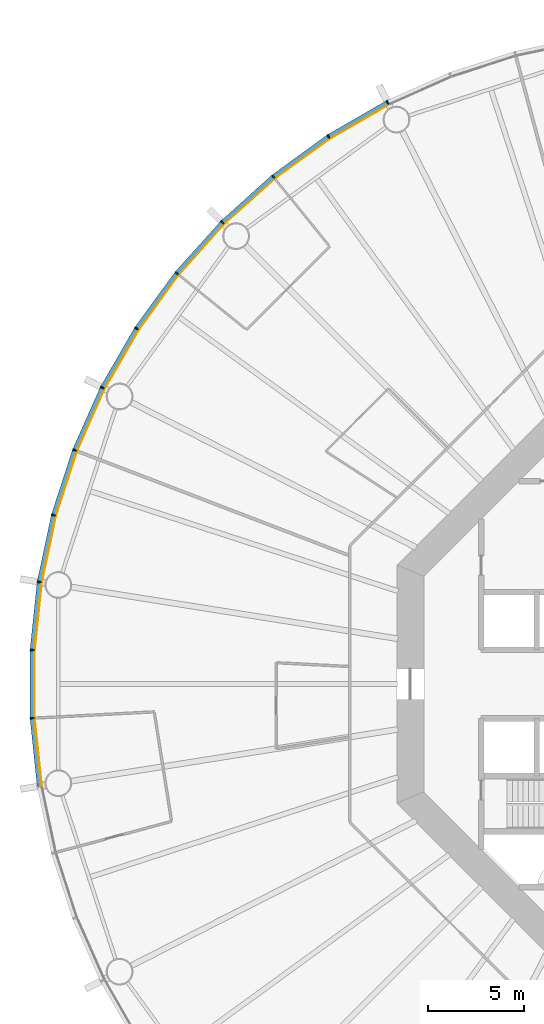
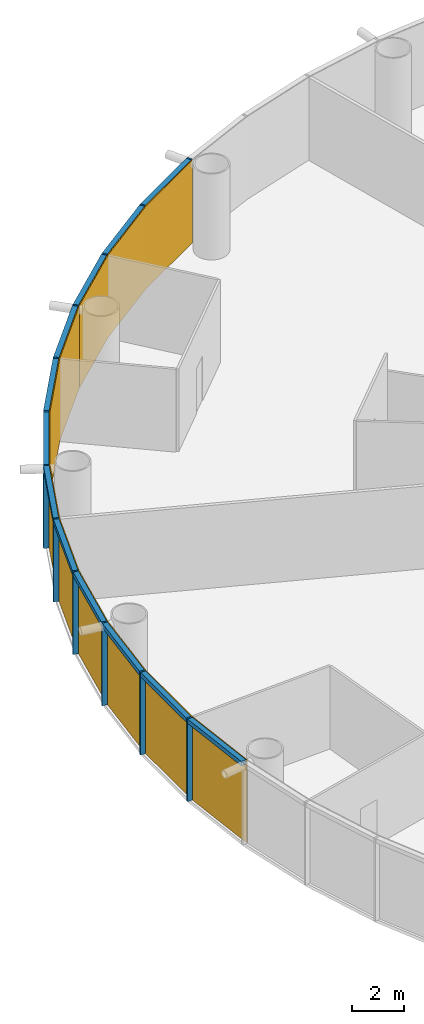
# One storey, part 8 of 12: 24 members, 4 curtain walls.
"""IFC4 building model written with IfcOpenShell, lengths in metres."""

from ifc_helpers import new_model, si_unit, direction, frame, origin, origin_2d, place, context, subcontext, project, spatial, polyline, rectangle, outline, extrude, material, layer, layer_set, material_profile, profile_set, type_object, element, aggregate, save


model = new_model("IFC4")

# Units and contexts
model_context = context("Model", 3, precision=1e-05, world=origin(), true_north=direction((0.0, 1.0)))
body_context = subcontext(model_context, "Body", "Model", "MODEL_VIEW")
ifc_project = project(units=[si_unit("LENGTHUNIT", "METRE"), si_unit("AREAUNIT", "SQUARE_METRE"), si_unit("VOLUMEUNIT", "CUBIC_METRE"), si_unit("PLANEANGLEUNIT", "RADIAN"), si_unit("MASSUNIT", "GRAM", prefix="KILO")], contexts=[model_context])

# Member
ifc_material_1 = material(Name="Anodised aluminium", Category="aluminium")
ifc_material_profile_1 = material_profile(ifc_material_1, rectangle(XDim=0.074951171875, YDim=0.219970703125, at=origin_2d()), Name="Mullion 75 x 220 mm anodised aluminium")
ifc_profile_set_1 = profile_set([ifc_material_profile_1], Name="Anodised aluminium")
member_type_1 = type_object("IfcMemberType", Name="Mullion 75 x 220 mm anodised aluminium", PredefinedType="MULLION", material=ifc_profile_set_1)
site_placement = place(None, origin())
building_placement = place(site_placement, origin())
storey_placement = place(building_placement, frame((0.0, 0.0, 70.0)))
member_1_placement = place(storey_placement, frame((74.514404296875, 110.392333984375, 0.0), z_axis=(0.0, 0.0, 1.0), x_axis=(-0.891006524188, -0.45399049974, 0.0)))
member_1 = element("IfcMember", 1, at=member_1_placement, type_object=member_type_1, Name="MULLION L15-18", PredefinedType="MULLION", context=body_context, shape_type="SweptSolid", body=[
    extrude(rectangle(XDim=0.074951171875, YDim=0.219970703125, at=origin_2d()), origin(), (0.0, 0.0, 1.0), 3.85009765625),
])

member_2_placement = place(storey_placement, frame((71.42236328125, 108.60693359375, 0.0), z_axis=(0.0, 0.0, 1.0), x_axis=(-0.838670567945, -0.544639035015, 0.0)))
member_2 = element("IfcMember", 2, at=member_2_placement, type_object=member_type_1, Name="MULLION L15-19", PredefinedType="MULLION", context=body_context, shape_type="SweptSolid", body=[
    extrude(rectangle(XDim=0.074951171875, YDim=0.219970703125, at=origin_2d()), origin(), (0.0, 0.0, 1.0), 3.85009765625),
])

member_3_placement = place(storey_placement, frame((68.533935546875, 106.508544921875, 0.0), z_axis=(0.0, 0.0, 1.0), x_axis=(-0.777145961457, -0.62932039105, 0.0)))
member_3 = element("IfcMember", 3, at=member_3_placement, type_object=member_type_1, Name="MULLION L15-20", PredefinedType="MULLION", context=body_context, shape_type="SweptSolid", body=[
    extrude(rectangle(XDim=0.074951171875, YDim=0.219970703125, at=origin_2d()), origin(), (0.0, 0.0, 1.0), 3.85009765625),
])

member_4_placement = place(storey_placement, frame((65.880615234375, 104.119384765625, 0.0), z_axis=(0.0, 0.0, 1.0), x_axis=(-0.707106781187, -0.707106781187, 0.0)))
member_4 = element("IfcMember", 4, at=member_4_placement, type_object=member_type_1, Name="MULLION L15-21", PredefinedType="MULLION", context=body_context, shape_type="SweptSolid", body=[
    extrude(rectangle(XDim=0.074951171875, YDim=0.219970703125, at=origin_2d()), origin(), (0.0, 0.0, 1.0), 3.85009765625),
])

member_5_placement = place(storey_placement, frame((63.491455078125, 101.466064453125, 0.0), z_axis=(0.0, 0.0, 1.0), x_axis=(-0.62932039105, -0.777145961457, 0.0)))
member_5 = element("IfcMember", 5, at=member_5_placement, type_object=member_type_1, Name="MULLION L15-22", PredefinedType="MULLION", context=body_context, shape_type="SweptSolid", body=[
    extrude(rectangle(XDim=0.074951171875, YDim=0.219970703125, at=origin_2d()), origin(), (0.0, 0.0, 1.0), 3.85009765625),
])

member_6_placement = place(storey_placement, frame((61.39306640625, 98.57763671875, 0.0), z_axis=(0.0, 0.0, 1.0), x_axis=(-0.544639035015, -0.838670567945, 0.0)))
member_6 = element("IfcMember", 6, at=member_6_placement, type_object=member_type_1, Name="MULLION L15-23", PredefinedType="MULLION", context=body_context, shape_type="SweptSolid", body=[
    extrude(rectangle(XDim=0.074951171875, YDim=0.219970703125, at=origin_2d()), origin(), (0.0, 0.0, 1.0), 3.85009765625),
])

member_7_placement = place(storey_placement, frame((59.607666015625, 95.485595703125, 0.0), z_axis=(0.0, 0.0, 1.0), x_axis=(-0.45399049974, -0.891006524188, 0.0)))
member_7 = element("IfcMember", 7, at=member_7_placement, type_object=member_type_1, Name="MULLION L15-24", PredefinedType="MULLION", context=body_context, shape_type="SweptSolid", body=[
    extrude(rectangle(XDim=0.074951171875, YDim=0.219970703125, at=origin_2d()), origin(), (0.0, 0.0, 1.0), 3.85009765625),
])

member_8_placement = place(storey_placement, frame((58.155517578125, 92.223876953125, 0.0), z_axis=(0.0, 0.0, 1.0), x_axis=(-0.358367949545, -0.933580426497, 0.0)))
member_8 = element("IfcMember", 8, at=member_8_placement, type_object=member_type_1, Name="MULLION L15-25", PredefinedType="MULLION", context=body_context, shape_type="SweptSolid", body=[
    extrude(rectangle(XDim=0.074951171875, YDim=0.219970703125, at=origin_2d()), origin(), (0.0, 0.0, 1.0), 3.85009765625),
])

member_9_placement = place(storey_placement, frame((57.05224609375, 88.828369140625, 0.0), z_axis=(0.0, 0.0, 1.0), x_axis=(-0.258819045103, -0.965925826289, 0.0)))
member_9 = element("IfcMember", 9, at=member_9_placement, type_object=member_type_1, Name="MULLION L15-26", PredefinedType="MULLION", context=body_context, shape_type="SweptSolid", body=[
    extrude(rectangle(XDim=0.074951171875, YDim=0.219970703125, at=origin_2d()), origin(), (0.0, 0.0, 1.0), 3.85009765625),
])

member_10_placement = place(storey_placement, frame((56.31005859375, 85.3359375, 0.0), z_axis=(0.0, 0.0, 1.0), x_axis=(-0.15643446504, -0.987688340595, 0.0)))
member_10 = element("IfcMember", 10, at=member_10_placement, type_object=member_type_1, Name="MULLION L15-27", PredefinedType="MULLION", context=body_context, shape_type="SweptSolid", body=[
    extrude(rectangle(XDim=0.074951171875, YDim=0.219970703125, at=origin_2d()), origin(), (0.0, 0.0, 1.0), 3.85009765625),
])

member_11_placement = place(storey_placement, frame((55.936767578125, 81.78515625, 0.0), z_axis=(0.0, 0.0, 1.0), x_axis=(-0.052335956243, -0.998629534755, 0.0)))
member_11 = element("IfcMember", 11, at=member_11_placement, type_object=member_type_1, Name="MULLION L15-28", PredefinedType="MULLION", context=body_context, shape_type="SweptSolid", body=[
    extrude(rectangle(XDim=0.074951171875, YDim=0.219970703125, at=origin_2d()), origin(), (0.0, 0.0, 1.0), 3.85009765625),
])

member_12_placement = place(storey_placement, frame((55.936767578125, 78.21484375, 0.0), z_axis=(0.0, 0.0, 1.0), x_axis=(0.052335956243, -0.998629534755, 0.0)))
member_12 = element("IfcMember", 12, at=member_12_placement, type_object=member_type_1, Name="MULLION L15-29", PredefinedType="MULLION", context=body_context, shape_type="SweptSolid", body=[
    extrude(rectangle(XDim=0.074951171875, YDim=0.219970703125, at=origin_2d()), origin(), (0.0, 0.0, 1.0), 3.85009765625),
])

ifc_material_2 = material(Name="Anodised aluminium", Category="aluminium")
ifc_material_profile_2 = material_profile(ifc_material_2, rectangle(XDim=0.219970703125, YDim=0.199951171875, at=origin_2d()), Name="Transom 200 x 220 mm anodised aluminium")
ifc_profile_set_2 = profile_set([ifc_material_profile_2], Name="Anodised aluminium")
member_type_2 = type_object("IfcMemberType", Name="Transom 200 x 220 mm anodised aluminium", PredefinedType="USERDEFINED", material=ifc_profile_set_2)
member_13_placement = place(storey_placement, frame((74.476806640625, 110.370849609375, 3.75), z_axis=(-0.866022206254, -0.500005538244, 0.0), x_axis=(0.500005538244, -0.866022206254, 0.0)))
member_13 = element("IfcMember", 13, at=member_13_placement, type_object=member_type_2, Name="TRANSOM L15-18", ObjectType="TRANSOM", PredefinedType="USERDEFINED", context=body_context, shape_type="SweptSolid", body=[
    extrude(rectangle(XDim=0.219970703125, YDim=0.199951171875, at=origin_2d()), origin(), (0.0, 0.0, 1.0), 3.48388671875),
])

member_14_placement = place(storey_placement, frame((71.38720703125, 108.581787109375, 3.75), z_axis=(-0.80899056535, -0.587821627006, 0.0), x_axis=(0.587821627006, -0.80899056535, 0.0)))
member_14 = element("IfcMember", 14, at=member_14_placement, type_object=member_type_2, Name="TRANSOM L15-19", ObjectType="TRANSOM", PredefinedType="USERDEFINED", context=body_context, shape_type="SweptSolid", body=[
    extrude(rectangle(XDim=0.219970703125, YDim=0.199951171875, at=origin_2d()), origin(), (0.0, 0.0, 1.0), 3.48388671875),
])

member_15_placement = place(storey_placement, frame((68.501708984375, 106.479736328125, 3.75), z_axis=(-0.743137329876, -0.669138930974, 0.0), x_axis=(0.669138930974, -0.743137329876, 0.0)))
member_15 = element("IfcMember", 15, at=member_15_placement, type_object=member_type_2, Name="TRANSOM L15-20", ObjectType="TRANSOM", PredefinedType="USERDEFINED", context=body_context, shape_type="SweptSolid", body=[
    extrude(rectangle(XDim=0.219970703125, YDim=0.199951171875, at=origin_2d()), origin(), (0.0, 0.0, 1.0), 3.484130859375),
])

member_16_placement = place(storey_placement, frame((65.8515625, 104.08740234375, 3.75), z_axis=(-0.669138930974, -0.743137329876, 0.0), x_axis=(0.743137329876, -0.669138930974, 0.0)))
member_16 = element("IfcMember", 16, at=member_16_placement, type_object=member_type_2, Name="TRANSOM L15-21", ObjectType="TRANSOM", PredefinedType="USERDEFINED", context=body_context, shape_type="SweptSolid", body=[
    extrude(rectangle(XDim=0.219970703125, YDim=0.199951171875, at=origin_2d()), origin(), (0.0, 0.0, 1.0), 3.484130859375),
])

member_17_placement = place(storey_placement, frame((63.466064453125, 101.43115234375, 3.75), z_axis=(-0.587821627006, -0.80899056535, 0.0), x_axis=(0.80899056535, -0.587821627006, 0.0)))
member_17 = element("IfcMember", 17, at=member_17_placement, type_object=member_type_2, Name="TRANSOM L15-22", ObjectType="TRANSOM", PredefinedType="USERDEFINED", context=body_context, shape_type="SweptSolid", body=[
    extrude(rectangle(XDim=0.219970703125, YDim=0.199951171875, at=origin_2d()), origin(), (0.0, 0.0, 1.0), 3.48388671875),
])

member_18_placement = place(storey_placement, frame((61.37109375, 98.540283203125, 3.75), z_axis=(-0.500005538244, -0.866022206254, 0.0), x_axis=(0.866022206254, -0.500005538244, 0.0)))
member_18 = element("IfcMember", 18, at=member_18_placement, type_object=member_type_2, Name="TRANSOM L15-23", ObjectType="TRANSOM", PredefinedType="USERDEFINED", context=body_context, shape_type="SweptSolid", body=[
    extrude(rectangle(XDim=0.219970703125, YDim=0.199951171875, at=origin_2d()), origin(), (0.0, 0.0, 1.0), 3.48388671875),
])

member_19_placement = place(storey_placement, frame((59.590087890625, 95.446044921875, 3.75), z_axis=(-0.406736576304, -0.913545487371, 0.0), x_axis=(0.913545487371, -0.406736576304, 0.0)))
member_19 = element("IfcMember", 19, at=member_19_placement, type_object=member_type_2, Name="TRANSOM L15-24", ObjectType="TRANSOM", PredefinedType="USERDEFINED", context=body_context, shape_type="SweptSolid", body=[
    extrude(rectangle(XDim=0.219970703125, YDim=0.199951171875, at=origin_2d()), origin(), (0.0, 0.0, 1.0), 3.48388671875),
])

member_20_placement = place(storey_placement, frame((58.14208984375, 92.182861328125, 3.75), z_axis=(-0.309029029702, -0.951052605696, 0.0), x_axis=(0.951052605696, -0.309029029702, 0.0)))
member_20 = element("IfcMember", 20, at=member_20_placement, type_object=member_type_2, Name="TRANSOM L15-25", ObjectType="TRANSOM", PredefinedType="USERDEFINED", context=body_context, shape_type="SweptSolid", body=[
    extrude(rectangle(XDim=0.219970703125, YDim=0.199951171875, at=origin_2d()), origin(), (0.0, 0.0, 1.0), 3.484130859375),
])

member_21_placement = place(storey_placement, frame((57.043212890625, 88.7861328125, 3.75), z_axis=(-0.207920776701, -0.978145669426, 0.0), x_axis=(0.978145669426, -0.207920776701, 0.0)))
member_21 = element("IfcMember", 21, at=member_21_placement, type_object=member_type_2, Name="TRANSOM L15-26", ObjectType="TRANSOM", PredefinedType="USERDEFINED", context=body_context, shape_type="SweptSolid", body=[
    extrude(rectangle(XDim=0.219970703125, YDim=0.199951171875, at=origin_2d()), origin(), (0.0, 0.0, 1.0), 3.48388671875),
])

member_22_placement = place(storey_placement, frame((56.30517578125, 85.29296875, 3.75), z_axis=(-0.104484152234, -0.994526551648, 0.0), x_axis=(0.994526551648, -0.104484152234, 0.0)))
member_22 = element("IfcMember", 22, at=member_22_placement, type_object=member_type_2, Name="TRANSOM L15-27", ObjectType="TRANSOM", PredefinedType="USERDEFINED", context=body_context, shape_type="SweptSolid", body=[
    extrude(rectangle(XDim=0.219970703125, YDim=0.199951171875, at=origin_2d()), origin(), (0.0, 0.0, 1.0), 3.48388671875),
])

member_23_placement = place(storey_placement, frame((55.9365234375, 81.741943359375, 3.75), z_axis=(0.0, -1.0, 0.0), x_axis=(1.0, 0.0, 0.0)))
member_23 = element("IfcMember", 23, at=member_23_placement, type_object=member_type_2, Name="TRANSOM L15-28", ObjectType="TRANSOM", PredefinedType="USERDEFINED", context=body_context, shape_type="SweptSolid", body=[
    extrude(rectangle(XDim=0.219970703125, YDim=0.199951171875, at=origin_2d()), origin(), (0.0, 0.0, 1.0), 3.48388671875),
])

member_24_placement = place(storey_placement, frame((55.941162109375, 78.171875, 3.75), z_axis=(0.104484152234, -0.994526551648, 0.0), x_axis=(0.994526551648, 0.104484152234, 0.0)))
member_24 = element("IfcMember", 24, at=member_24_placement, type_object=member_type_2, Name="TRANSOM L15-29", ObjectType="TRANSOM", PredefinedType="USERDEFINED", context=body_context, shape_type="SweptSolid", body=[
    extrude(rectangle(XDim=0.219970703125, YDim=0.199951171875, at=origin_2d()), origin(), (0.0, 0.0, 1.0), 3.48388671875),
])

# Site, building, storey
site = spatial("IfcSite", under=ifc_project, at=site_placement, CompositionType="ELEMENT")
building = spatial("IfcBuilding", under=site, at=building_placement, Name="Entoto Ring Tower", CompositionType="ELEMENT")
storey = spatial("IfcBuildingStorey", under=building, at=storey_placement, Name="L15", CompositionType="ELEMENT", Elevation=70.0)

# Curtain wall
ifc_material_3 = material(Name="Clear low-iron glass", Category="glass")
ifc_layer = layer(ifc_material_3, 0.0400390625)
ifc_layer_set = layer_set([ifc_layer], Name="Clear low-iron glass")
curtain_wall_type = type_object("IfcCurtainWallType", Name="Curtain wall system CW1 glazing 40 mm", PredefinedType="NOTDEFINED", material=ifc_layer_set)
curtain_wall_1_placement = place(storey_placement, origin())
curtain_wall_1 = element("IfcCurtainWall", 25, at=curtain_wall_1_placement, inside=storey, type_object=curtain_wall_type, Name="CW1 L15-07", PredefinedType="NOTDEFINED", context=body_context, shape_type="SweptSolid", body=[
    extrude(outline(polyline([(74.564208984375, 110.294189453125), (71.482177734375, 108.514892578125), (68.60302734375, 106.4228515625), (65.958251953125, 104.041748046875), (65.986572265625, 104.013427734375), (68.62841796875, 106.391845703125), (71.504150390625, 108.481201171875), (74.58251953125, 110.258544921875), (74.564208984375, 110.294189453125)])), origin(), (0.0, 0.0, 1.0), 3.85009765625),
])

aggregate(curtain_wall_1, [member_1, member_2, member_3, member_13, member_14, member_15])

curtain_wall_2_placement = place(storey_placement, origin())
curtain_wall_2 = element("IfcCurtainWall", 26, at=curtain_wall_2_placement, inside=storey, type_object=curtain_wall_type, Name="CW1 L15-08", PredefinedType="NOTDEFINED", context=body_context, shape_type="SweptSolid", body=[
    extrude(outline(polyline([(65.958251953125, 104.041748046875), (63.5771484375, 101.39697265625), (61.485107421875, 98.517822265625), (59.705810546875, 95.435791015625), (59.741455078125, 95.41748046875), (61.518798828125, 98.495849609375), (63.608154296875, 101.37158203125), (65.986572265625, 104.013427734375), (65.958251953125, 104.041748046875)])), origin(), (0.0, 0.0, 1.0), 3.85009765625),
])

aggregate(curtain_wall_2, [member_4, member_5, member_6, member_16, member_17, member_18])

curtain_wall_3_placement = place(storey_placement, origin())
curtain_wall_3 = element("IfcCurtainWall", 27, at=curtain_wall_3_placement, inside=storey, type_object=curtain_wall_type, Name="CW1 L15-09", PredefinedType="NOTDEFINED", context=body_context, shape_type="SweptSolid", body=[
    extrude(outline(polyline([(59.705810546875, 95.435791015625), (58.25830078125, 92.1845703125), (57.158447265625, 88.7998046875), (56.418701171875, 85.31884765625), (56.458251953125, 85.3125), (57.197265625, 88.78955078125), (58.295654296875, 92.170166015625), (59.741455078125, 95.41748046875), (59.705810546875, 95.435791015625)])), origin(), (0.0, 0.0, 1.0), 3.85009765625),
])

aggregate(curtain_wall_3, [member_7, member_8, member_9, member_19, member_20, member_21])

curtain_wall_4_placement = place(storey_placement, origin())
curtain_wall_4 = element("IfcCurtainWall", 28, at=curtain_wall_4_placement, inside=storey, type_object=curtain_wall_type, Name="CW1 L15-10", PredefinedType="NOTDEFINED", context=body_context, shape_type="SweptSolid", body=[
    extrude(outline(polyline([(56.418701171875, 85.31884765625), (56.046630859375, 81.779541015625), (56.046630859375, 78.220458984375), (56.418701171875, 74.68115234375), (56.458251953125, 74.6875), (56.086669921875, 78.22265625), (56.086669921875, 81.77734375), (56.458251953125, 85.3125), (56.418701171875, 85.31884765625)])), origin(), (0.0, 0.0, 1.0), 3.85009765625),
])

aggregate(curtain_wall_4, [member_10, member_11, member_12, member_22, member_23, member_24])

save(model, "model.ifc")
